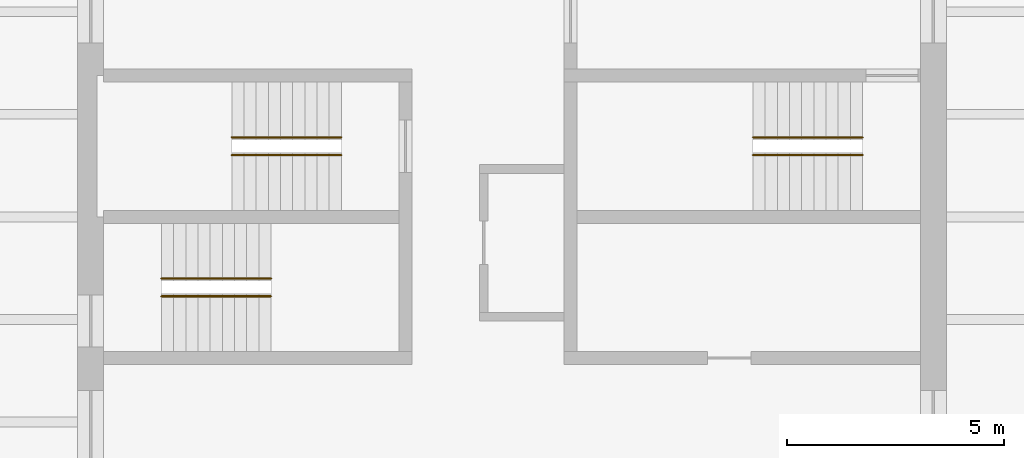
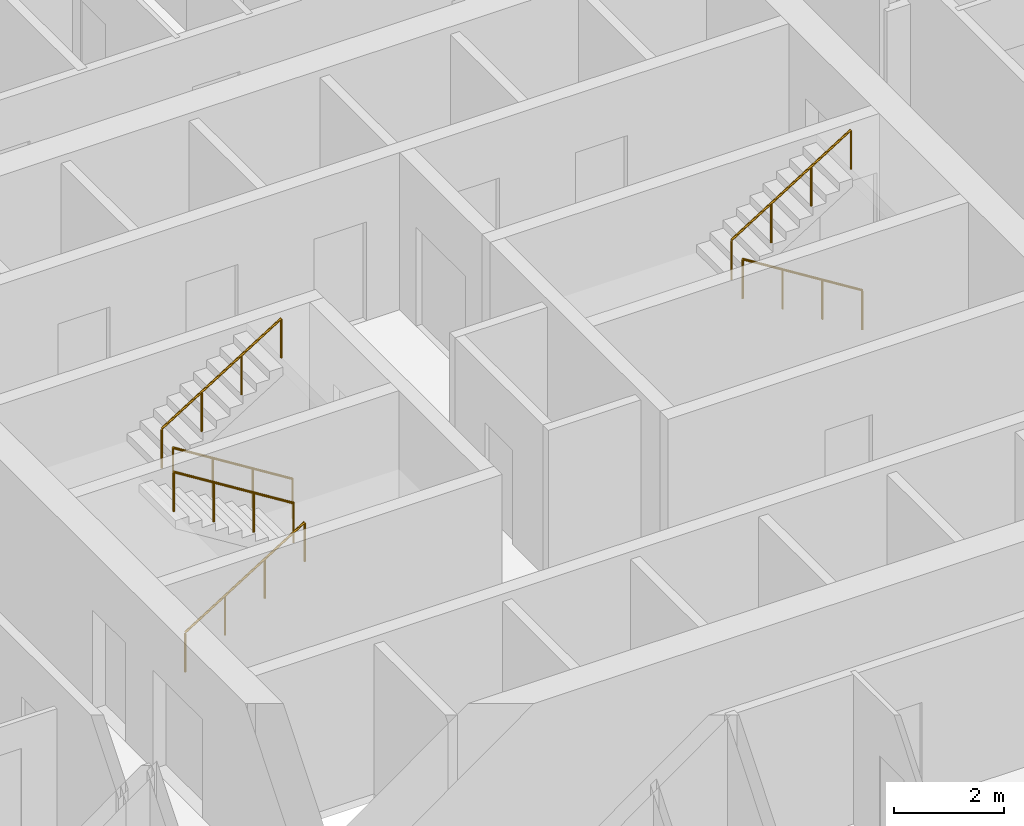
# One storey, part 10 of 10: 6 railings.
"""IFC4 building model written with IfcOpenShell, lengths in metres."""

from ifc_helpers import new_model, si_unit, direction, frame, origin, origin_2d, place, context, subcontext, project, spatial, circle, extrude, material, type_object, element, save


model = new_model("IFC4")

# Units and contexts
model_context = context("Model", 3, precision=1e-05, world=origin(), true_north=direction((0.0, 1.0)))
body_context = subcontext(model_context, "Body", "Model", "MODEL_VIEW")
ifc_project = project(units=[si_unit("LENGTHUNIT", "METRE"), si_unit("AREAUNIT", "SQUARE_METRE"), si_unit("VOLUMEUNIT", "CUBIC_METRE"), si_unit("PLANEANGLEUNIT", "RADIAN"), si_unit("MASSUNIT", "GRAM", prefix="KILO")], contexts=[model_context])

# Site, building, storey
site_placement = place(None, origin())
site = spatial("IfcSite", under=ifc_project, at=site_placement, CompositionType="ELEMENT")
building_placement = place(site_placement, origin())
building = spatial("IfcBuilding", under=site, at=building_placement, Name="Turquesa Mirador Hotel Tower", CompositionType="ELEMENT")
storey_placement = place(building_placement, frame((0.0, 0.0, 53.0)))
storey = spatial("IfcBuildingStorey", under=building, at=storey_placement, Name="L13", CompositionType="ELEMENT", Elevation=53.0)

# Railings
ifc_material = material(Name="Painted steel handrail", Category="steel")
railing_type = type_object("IfcRailingType", Name="HANDRAIL 900 STEEL", PredefinedType="HANDRAIL", material=ifc_material)
railing_1_placement = place(storey_placement, frame((51.070068359375, 46.419921875, 0.175048828125)))
element("IfcRailing", 1, at=railing_1_placement, inside=storey, type_object=railing_type, Name="Handrail ST1", PredefinedType="HANDRAIL", context=body_context, shape_type="SweptSolid", body=[
    extrude(circle(Radius=0.02392578125, at=origin_2d()), frame((0.0, 0.0, 0.8759765625), z_axis=(-0.848007534815, 0.0, 0.529984170421), x_axis=(0.0, -1.0, 0.0)), (0.0, 0.0, 1.0), 2.9716796875),
    extrude(circle(Radius=0.02099609375, at=origin_2d()), origin(), (0.0, 0.0, 1.0), 0.851806640625),
    extrude(circle(Radius=0.02099609375, at=origin_2d()), frame((-0.840087890625, 0.0, 0.52490234375)), (0.0, 0.0, 1.0), 0.851806640625),
    extrude(circle(Radius=0.02099609375, at=origin_2d()), frame((-1.679931640625, 0.0, 1.050048828125)), (0.0, 0.0, 1.0), 0.851806640625),
    extrude(circle(Radius=0.02099609375, at=origin_2d()), frame((-2.52001953125, 0.0, 1.574951171875)), (0.0, 0.0, 1.0), 0.851806640625),
])
for number, where, name in (
    (2, (48.550048828125, 46.830078125, 1.925048828125), "Handrail ST1"),
    (3, (46.929931640625, 43.169921875, 0.175048828125), "Handrail ST2"),
):
    element("IfcRailing", number, at=place(storey_placement, frame(where)), inside=storey, type_object=railing_type, Name=name, PredefinedType="HANDRAIL", context=body_context, shape_type="SweptSolid", body=[
        extrude(circle(Radius=0.02392578125, at=origin_2d()), frame((0.0, 0.0, 0.8759765625), z_axis=(0.848007534815, 0.0, 0.529984170421), x_axis=(0.0, 1.0, 0.0)), (0.0, 0.0, 1.0), 2.9716796875),
        extrude(circle(Radius=0.02099609375, at=origin_2d()), origin(), (0.0, 0.0, 1.0), 0.851806640625),
        extrude(circle(Radius=0.02099609375, at=origin_2d()), frame((0.840087890625, 0.0, 0.52490234375)), (0.0, 0.0, 1.0), 0.851806640625),
        extrude(circle(Radius=0.02099609375, at=origin_2d()), frame((1.679931640625, 0.0, 1.050048828125)), (0.0, 0.0, 1.0), 0.851806640625),
        extrude(circle(Radius=0.02099609375, at=origin_2d()), frame((2.52001953125, 0.0, 1.574951171875)), (0.0, 0.0, 1.0), 0.851806640625),
    ])
for number, where, name in (
    (4, (49.449951171875, 43.580078125, 1.925048828125), "Handrail ST2"),
    (5, (63.070068359375, 46.419921875, 0.175048828125), "Handrail ST3"),
):
    element("IfcRailing", number, at=place(storey_placement, frame(where)), inside=storey, type_object=railing_type, Name=name, PredefinedType="HANDRAIL", context=body_context, shape_type="SweptSolid", body=[
        extrude(circle(Radius=0.02392578125, at=origin_2d()), frame((0.0, 0.0, 0.8759765625), z_axis=(-0.848007534815, 0.0, 0.529984170421), x_axis=(0.0, -1.0, 0.0)), (0.0, 0.0, 1.0), 2.9716796875),
        extrude(circle(Radius=0.02099609375, at=origin_2d()), origin(), (0.0, 0.0, 1.0), 0.851806640625),
        extrude(circle(Radius=0.02099609375, at=origin_2d()), frame((-0.840087890625, 0.0, 0.52490234375)), (0.0, 0.0, 1.0), 0.851806640625),
        extrude(circle(Radius=0.02099609375, at=origin_2d()), frame((-1.679931640625, 0.0, 1.050048828125)), (0.0, 0.0, 1.0), 0.851806640625),
        extrude(circle(Radius=0.02099609375, at=origin_2d()), frame((-2.52001953125, 0.0, 1.574951171875)), (0.0, 0.0, 1.0), 0.851806640625),
    ])
railing_2_placement = place(storey_placement, frame((60.550048828125, 46.830078125, 1.925048828125)))
element("IfcRailing", 6, at=railing_2_placement, inside=storey, type_object=railing_type, Name="Handrail ST3", PredefinedType="HANDRAIL", context=body_context, shape_type="SweptSolid", body=[
    extrude(circle(Radius=0.02392578125, at=origin_2d()), frame((0.0, 0.0, 0.8759765625), z_axis=(0.848007534815, 0.0, 0.529984170421), x_axis=(0.0, 1.0, 0.0)), (0.0, 0.0, 1.0), 2.9716796875),
    extrude(circle(Radius=0.02099609375, at=origin_2d()), origin(), (0.0, 0.0, 1.0), 0.851806640625),
    extrude(circle(Radius=0.02099609375, at=origin_2d()), frame((0.840087890625, 0.0, 0.52490234375)), (0.0, 0.0, 1.0), 0.851806640625),
    extrude(circle(Radius=0.02099609375, at=origin_2d()), frame((1.679931640625, 0.0, 1.050048828125)), (0.0, 0.0, 1.0), 0.851806640625),
    extrude(circle(Radius=0.02099609375, at=origin_2d()), frame((2.52001953125, 0.0, 1.574951171875)), (0.0, 0.0, 1.0), 0.851806640625),
])

save(model, "model.ifc")
